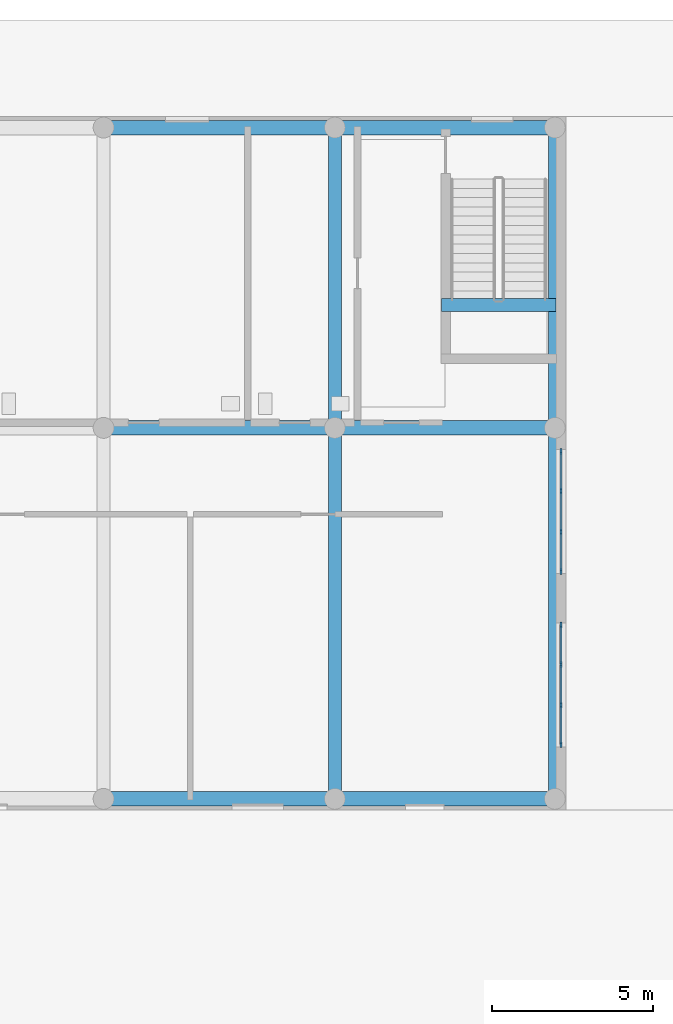
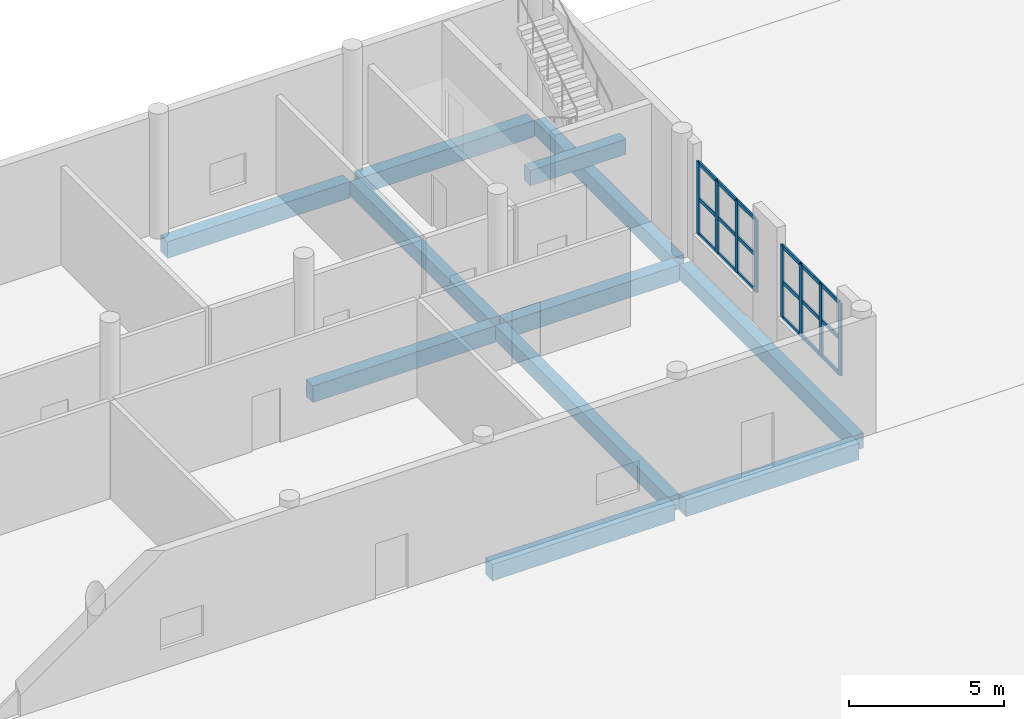
# One storey, part 22 of 85: 26 members, 11 beams, 2 elements without a shape of their own.
"""IFC4 building model written with IfcOpenShell, lengths in metres."""

from ifc_helpers import new_model, si_unit, derived_unit, direction, frame, origin, origin_2d, place, context, subcontext, project, spatial, rectangle, extrude, material, layer, layer_set, material_profile, profile_set, type_object, element, aggregate, save


model = new_model("IFC4")

# Units and contexts
model_context = context("Model", 3, precision=1e-05, world=origin(), true_north=direction((0.0, 1.0)))
body_context = subcontext(model_context, "Body", "Model", "MODEL_VIEW")
ifc_project = project(units=[si_unit("LENGTHUNIT", "METRE"), si_unit("AREAUNIT", "SQUARE_METRE"), si_unit("VOLUMEUNIT", "CUBIC_METRE"), si_unit("PLANEANGLEUNIT", "RADIAN"), si_unit("MASSUNIT", "GRAM", prefix="KILO"), derived_unit("THERMALTRANSMITTANCEUNIT", [(si_unit("MASSUNIT", "GRAM", prefix="KILO"), 1), (si_unit("TIMEUNIT", "SECOND"), -3), (si_unit("THERMODYNAMICTEMPERATUREUNIT", "KELVIN"), -1)])], contexts=[model_context])

# Site, building, storey
site_placement = place(None, origin())
site = spatial("IfcSite", under=ifc_project, at=site_placement, CompositionType="ELEMENT")
building_placement = place(site_placement, origin())
building = spatial("IfcBuilding", under=site, at=building_placement, Name="Ochrekiln Boulevard Commons", CompositionType="ELEMENT")
storey_placement = place(building_placement, origin())
storey = spatial("IfcBuildingStorey", under=building, at=storey_placement, Name="L00", CompositionType="ELEMENT", Elevation=0.0)

# Beams
ifc_material_1 = material(Name="Concrete C35/45", Category="concrete")
ifc_material_profile_1 = material_profile(ifc_material_1, rectangle(XDim=0.39990234375, YDim=0.60009765625, at=origin_2d()), Name="RC-BM-400x600")
ifc_profile_set_1 = profile_set([ifc_material_profile_1], Name="Concrete C35/45")
beam_type_1 = type_object("IfcBeamType", Name="BM-RC-400x600", PredefinedType="BEAM", material=ifc_profile_set_1)
beam_1_placement = place(storey_placement, frame((100.800048828125, 97.760009765625, -0.580078125), z_axis=(0.0, 1.0, 0.0), x_axis=(-1.0, 0.0, 0.0)))
element("IfcBeam", 1, at=beam_1_placement, inside=storey, type_object=beam_type_1, Name="Nursery Pavilion L00 Beam B-4060 Y29", PredefinedType="BEAM", context=body_context, shape_type="SweptSolid", body=[
    extrude(rectangle(XDim=0.39990234375, YDim=0.60009765625, at=origin_2d()), origin(), (0.0, 0.0, 1.0), 11.1298828125),
])
beam_2_placement = place(storey_placement, frame((100.800048828125, 109.31005859375, -0.580078125), z_axis=(0.0, 1.0, 0.0), x_axis=(-1.0, 0.0, 0.0)))
element("IfcBeam", 2, at=beam_2_placement, inside=storey, type_object=beam_type_1, Name="Nursery Pavilion L00 Beam B-4060 Y30", PredefinedType="BEAM", context=body_context, shape_type="SweptSolid", body=[
    extrude(rectangle(XDim=0.39990234375, YDim=0.60009765625, at=origin_2d()), origin(), (0.0, 0.0, 1.0), 8.929931640625),
])
beam_3_placement = place(storey_placement, frame((107.64990234375, 97.760009765625, -0.580078125), z_axis=(0.0, 1.0, 0.0), x_axis=(-1.0, 0.0, 0.0)))
element("IfcBeam", 3, at=beam_3_placement, inside=storey, type_object=beam_type_1, Name="Nursery Pavilion L00 Beam B-4060 Y31", PredefinedType="BEAM", context=body_context, shape_type="SweptSolid", body=[
    extrude(rectangle(XDim=0.39990234375, YDim=0.60009765625, at=origin_2d()), origin(), (0.0, 0.0, 1.0), 11.1298828125),
])
beam_4_placement = place(storey_placement, frame((107.64990234375, 109.31005859375, -0.580078125), z_axis=(0.0, 1.0, 0.0), x_axis=(-1.0, 0.0, 0.0)))
element("IfcBeam", 4, at=beam_4_placement, inside=storey, type_object=beam_type_1, Name="Nursery Pavilion L00 Beam B-4060 Y32", PredefinedType="BEAM", context=body_context, shape_type="SweptSolid", body=[
    extrude(rectangle(XDim=0.39990234375, YDim=0.60009765625, at=origin_2d()), origin(), (0.0, 0.0, 1.0), 8.929931640625),
])
beam_5_placement = place(storey_placement, frame((104.1201171875, 112.929931640625, 1.93994140625), z_axis=(1.0, 0.0, 0.0), x_axis=(0.0, 1.0, 0.0)))
element("IfcBeam", 5, at=beam_5_placement, inside=storey, type_object=beam_type_1, Name="Stair ST-N2 L00 Half-Landing Support Beam B-4060", PredefinedType="BEAM", context=body_context, shape_type="SweptSolid", body=[
    extrude(rectangle(XDim=0.39990234375, YDim=0.60009765625, at=origin_2d()), origin(), (0.0, 0.0, 1.0), 3.559814453125),
])
ifc_material_profile_2 = material_profile(ifc_material_1, rectangle(XDim=0.449951171875, YDim=0.64990234375, at=origin_2d()), Name="RC-BM-450x650")
ifc_profile_set_2 = profile_set([ifc_material_profile_2], Name="Concrete C35/45")
beam_type_2 = type_object("IfcBeamType", Name="BM-RC-450x650", PredefinedType="BEAM", material=ifc_profile_set_2)
beam_6_placement = place(storey_placement, frame((93.81005859375, 97.550048828125, -0.60498046875), z_axis=(1.0, 0.0, 0.0), x_axis=(0.0, 1.0, 0.0)))
element("IfcBeam", 6, at=beam_6_placement, inside=storey, type_object=beam_type_2, Name="Nursery Pavilion L00 Beam B-4565 X5", PredefinedType="BEAM", context=body_context, shape_type="SweptSolid", body=[
    extrude(rectangle(XDim=0.449951171875, YDim=0.64990234375, at=origin_2d()), origin(), (0.0, 0.0, 1.0), 6.780029296875),
])
beam_7_placement = place(storey_placement, frame((101.010009765625, 97.550048828125, -0.60498046875), z_axis=(1.0, 0.0, 0.0), x_axis=(0.0, 1.0, 0.0)))
element("IfcBeam", 7, at=beam_7_placement, inside=storey, type_object=beam_type_2, Name="Nursery Pavilion L00 Beam B-4565 X6", PredefinedType="BEAM", context=body_context, shape_type="SweptSolid", body=[
    extrude(rectangle(XDim=0.449951171875, YDim=0.64990234375, at=origin_2d()), origin(), (0.0, 0.0, 1.0), 6.429931640625),
])
beam_8_placement = place(storey_placement, frame((93.81005859375, 109.10009765625, -0.60498046875), z_axis=(1.0, 0.0, 0.0), x_axis=(0.0, 1.0, 0.0)))
element("IfcBeam", 8, at=beam_8_placement, inside=storey, type_object=beam_type_2, Name="Nursery Pavilion L00 Beam B-4565 X11", PredefinedType="BEAM", context=body_context, shape_type="SweptSolid", body=[
    extrude(rectangle(XDim=0.449951171875, YDim=0.64990234375, at=origin_2d()), origin(), (0.0, 0.0, 1.0), 6.780029296875),
])
beam_9_placement = place(storey_placement, frame((101.010009765625, 109.10009765625, -0.60498046875), z_axis=(1.0, 0.0, 0.0), x_axis=(0.0, 1.0, 0.0)))
element("IfcBeam", 9, at=beam_9_placement, inside=storey, type_object=beam_type_2, Name="Nursery Pavilion L00 Beam B-4565 X12", PredefinedType="BEAM", context=body_context, shape_type="SweptSolid", body=[
    extrude(rectangle(XDim=0.449951171875, YDim=0.64990234375, at=origin_2d()), origin(), (0.0, 0.0, 1.0), 6.429931640625),
])
beam_10_placement = place(storey_placement, frame((93.81005859375, 118.449951171875, -0.60498046875), z_axis=(1.0, 0.0, 0.0), x_axis=(0.0, 1.0, 0.0)))
element("IfcBeam", 10, at=beam_10_placement, inside=storey, type_object=beam_type_2, Name="Nursery Pavilion L00 Beam B-4565 X17", PredefinedType="BEAM", context=body_context, shape_type="SweptSolid", body=[
    extrude(rectangle(XDim=0.449951171875, YDim=0.64990234375, at=origin_2d()), origin(), (0.0, 0.0, 1.0), 6.780029296875),
])
beam_11_placement = place(storey_placement, frame((101.010009765625, 118.449951171875, -0.60498046875), z_axis=(1.0, 0.0, 0.0), x_axis=(0.0, 1.0, 0.0)))
element("IfcBeam", 11, at=beam_11_placement, inside=storey, type_object=beam_type_2, Name="Nursery Pavilion L00 Beam B-4565 X18", PredefinedType="BEAM", context=body_context, shape_type="SweptSolid", body=[
    extrude(rectangle(XDim=0.449951171875, YDim=0.64990234375, at=origin_2d()), origin(), (0.0, 0.0, 1.0), 6.429931640625),
])

# Curtain wall, members
ifc_material_2 = material(Name="Bronze-anodized extruded aluminium 6063-T6", Category="aluminium")
ifc_layer = layer(ifc_material_2, 0.219970703125)
ifc_layer_set = layer_set([ifc_layer], Name="Bronze-anodized extruded aluminium 6063-T6")
curtain_wall_type = type_object("IfcCurtainWallType", Name="CW-NUR", PredefinedType="USERDEFINED", material=ifc_layer_set)
curtain_wall_1_placement = place(storey_placement, origin())
curtain_wall_1 = element("IfcCurtainWall", 12, at=curtain_wall_1_placement, inside=storey, type_object=curtain_wall_type, Name="Nursery L00 Garden End Curtain Wall E-1", ObjectType="GLAZED CURTAIN WALL", PredefinedType="USERDEFINED")
ifc_material_profile_3 = material_profile(ifc_material_2, rectangle(XDim=0.06494140625, YDim=0.179931640625, at=origin_2d()), Name="ALU-MUL-65x180")
ifc_profile_set_3 = profile_set([ifc_material_profile_3], Name="Bronze-anodized extruded aluminium 6063-T6")
member_type_1 = type_object("IfcMemberType", Name="CWM-65x180", PredefinedType="MULLION", material=ifc_profile_set_3)
member_1_placement = place(storey_placement, frame((107.840087890625, 99.232421875, 1.110107421875), z_axis=(0.0, 0.0, 1.0), x_axis=(-1.0, 0.0, 0.0)))
member_1 = element("IfcMember", 13, at=member_1_placement, type_object=member_type_1, Name="CW-05 mullion 1", PredefinedType="MULLION", context=body_context, shape_type="SweptSolid", body=[
    extrude(rectangle(XDim=0.06494140625, YDim=0.179931640625, at=origin_2d()), origin(), (0.0, 0.0, 1.0), 2.83984375),
])
member_2_placement = place(storey_placement, frame((107.840087890625, 100.466552734375, 1.110107421875), z_axis=(0.0, 0.0, 1.0), x_axis=(-1.0, 0.0, 0.0)))
member_2 = element("IfcMember", 14, at=member_2_placement, type_object=member_type_1, Name="CW-05 mullion 2", PredefinedType="MULLION", context=body_context, shape_type="SweptSolid", body=[
    extrude(rectangle(XDim=0.06494140625, YDim=0.179931640625, at=origin_2d()), origin(), (0.0, 0.0, 1.0), 2.83984375),
])
member_3_placement = place(storey_placement, frame((107.840087890625, 101.7333984375, 1.110107421875), z_axis=(0.0, 0.0, 1.0), x_axis=(-1.0, 0.0, 0.0)))
member_3 = element("IfcMember", 15, at=member_3_placement, type_object=member_type_1, Name="CW-05 mullion 3", PredefinedType="MULLION", context=body_context, shape_type="SweptSolid", body=[
    extrude(rectangle(XDim=0.06494140625, YDim=0.179931640625, at=origin_2d()), origin(), (0.0, 0.0, 1.0), 2.83984375),
])
member_4_placement = place(storey_placement, frame((107.840087890625, 102.967529296875, 1.110107421875), z_axis=(0.0, 0.0, 1.0), x_axis=(-1.0, 0.0, 0.0)))
member_4 = element("IfcMember", 16, at=member_4_placement, type_object=member_type_1, Name="CW-05 mullion 4", PredefinedType="MULLION", context=body_context, shape_type="SweptSolid", body=[
    extrude(rectangle(XDim=0.06494140625, YDim=0.179931640625, at=origin_2d()), origin(), (0.0, 0.0, 1.0), 2.83984375),
])

curtain_wall_2_placement = place(storey_placement, origin())
curtain_wall_2 = element("IfcCurtainWall", 17, at=curtain_wall_2_placement, inside=storey, type_object=curtain_wall_type, Name="Nursery L00 Garden End Curtain Wall E-2", ObjectType="GLAZED CURTAIN WALL", PredefinedType="USERDEFINED")
member_5_placement = place(storey_placement, frame((107.840087890625, 104.632568359375, 1.110107421875), z_axis=(0.0, 0.0, 1.0), x_axis=(-1.0, 0.0, 0.0)))
member_5 = element("IfcMember", 18, at=member_5_placement, type_object=member_type_1, Name="CW-05 mullion 1", PredefinedType="MULLION", context=body_context, shape_type="SweptSolid", body=[
    extrude(rectangle(XDim=0.06494140625, YDim=0.179931640625, at=origin_2d()), origin(), (0.0, 0.0, 1.0), 2.83984375),
])
member_6_placement = place(storey_placement, frame((107.840087890625, 105.86669921875, 1.110107421875), z_axis=(0.0, 0.0, 1.0), x_axis=(-1.0, 0.0, 0.0)))
member_6 = element("IfcMember", 19, at=member_6_placement, type_object=member_type_1, Name="CW-05 mullion 2", PredefinedType="MULLION", context=body_context, shape_type="SweptSolid", body=[
    extrude(rectangle(XDim=0.06494140625, YDim=0.179931640625, at=origin_2d()), origin(), (0.0, 0.0, 1.0), 2.83984375),
])
member_7_placement = place(storey_placement, frame((107.840087890625, 107.13330078125, 1.110107421875), z_axis=(0.0, 0.0, 1.0), x_axis=(-1.0, 0.0, 0.0)))
member_7 = element("IfcMember", 20, at=member_7_placement, type_object=member_type_1, Name="CW-05 mullion 3", PredefinedType="MULLION", context=body_context, shape_type="SweptSolid", body=[
    extrude(rectangle(XDim=0.06494140625, YDim=0.179931640625, at=origin_2d()), origin(), (0.0, 0.0, 1.0), 2.83984375),
])
member_8_placement = place(storey_placement, frame((107.840087890625, 108.367431640625, 1.110107421875), z_axis=(0.0, 0.0, 1.0), x_axis=(-1.0, 0.0, 0.0)))
member_8 = element("IfcMember", 21, at=member_8_placement, type_object=member_type_1, Name="CW-05 mullion 4", PredefinedType="MULLION", context=body_context, shape_type="SweptSolid", body=[
    extrude(rectangle(XDim=0.06494140625, YDim=0.179931640625, at=origin_2d()), origin(), (0.0, 0.0, 1.0), 2.83984375),
])

# Member
ifc_material_profile_4 = material_profile(ifc_material_2, rectangle(XDim=0.06494140625, YDim=0.139892578125, at=origin_2d()), Name="ALU-TRN-65x140")
ifc_profile_set_4 = profile_set([ifc_material_profile_4], Name="Bronze-anodized extruded aluminium 6063-T6")
member_type_2 = type_object("IfcMemberType", Name="CWT-65x140", PredefinedType="USERDEFINED", material=ifc_profile_set_4)
member_9_placement = place(storey_placement, frame((107.840087890625, 99.264892578125, 1.142578125), z_axis=(0.0, 1.0, 0.0), x_axis=(-1.0, 0.0, 0.0)))
member_9 = element("IfcMember", 22, at=member_9_placement, type_object=member_type_2, Name="CW-05 transom 1.1", ObjectType="TRANSOM", PredefinedType="USERDEFINED", context=body_context, shape_type="SweptSolid", body=[
    extrude(rectangle(XDim=0.06494140625, YDim=0.139892578125, at=origin_2d()), origin(), (0.0, 0.0, 1.0), 1.169189453125),
])

member_10_placement = place(storey_placement, frame((107.840087890625, 99.264892578125, 2.530029296875), z_axis=(0.0, 1.0, 0.0), x_axis=(-1.0, 0.0, 0.0)))
member_10 = element("IfcMember", 23, at=member_10_placement, type_object=member_type_2, Name="CW-05 transom 1.2", ObjectType="TRANSOM", PredefinedType="USERDEFINED", context=body_context, shape_type="SweptSolid", body=[
    extrude(rectangle(XDim=0.06494140625, YDim=0.139892578125, at=origin_2d()), origin(), (0.0, 0.0, 1.0), 1.169189453125),
])

member_11_placement = place(storey_placement, frame((107.840087890625, 99.264892578125, 3.91748046875), z_axis=(0.0, 1.0, 0.0), x_axis=(-1.0, 0.0, 0.0)))
member_11 = element("IfcMember", 24, at=member_11_placement, type_object=member_type_2, Name="CW-05 transom 1.3", ObjectType="TRANSOM", PredefinedType="USERDEFINED", context=body_context, shape_type="SweptSolid", body=[
    extrude(rectangle(XDim=0.06494140625, YDim=0.139892578125, at=origin_2d()), origin(), (0.0, 0.0, 1.0), 1.169189453125),
])

member_12_placement = place(storey_placement, frame((107.840087890625, 100.499267578125, 1.142578125), z_axis=(0.0, 1.0, 0.0), x_axis=(-1.0, 0.0, 0.0)))
member_12 = element("IfcMember", 25, at=member_12_placement, type_object=member_type_2, Name="CW-05 transom 2.1", ObjectType="TRANSOM", PredefinedType="USERDEFINED", context=body_context, shape_type="SweptSolid", body=[
    extrude(rectangle(XDim=0.06494140625, YDim=0.139892578125, at=origin_2d()), origin(), (0.0, 0.0, 1.0), 1.20166015625),
])

member_13_placement = place(storey_placement, frame((107.840087890625, 100.499267578125, 2.530029296875), z_axis=(0.0, 1.0, 0.0), x_axis=(-1.0, 0.0, 0.0)))
member_13 = element("IfcMember", 26, at=member_13_placement, type_object=member_type_2, Name="CW-05 transom 2.2", ObjectType="TRANSOM", PredefinedType="USERDEFINED", context=body_context, shape_type="SweptSolid", body=[
    extrude(rectangle(XDim=0.06494140625, YDim=0.139892578125, at=origin_2d()), origin(), (0.0, 0.0, 1.0), 1.20166015625),
])

member_14_placement = place(storey_placement, frame((107.840087890625, 100.499267578125, 3.91748046875), z_axis=(0.0, 1.0, 0.0), x_axis=(-1.0, 0.0, 0.0)))
member_14 = element("IfcMember", 27, at=member_14_placement, type_object=member_type_2, Name="CW-05 transom 2.3", ObjectType="TRANSOM", PredefinedType="USERDEFINED", context=body_context, shape_type="SweptSolid", body=[
    extrude(rectangle(XDim=0.06494140625, YDim=0.139892578125, at=origin_2d()), origin(), (0.0, 0.0, 1.0), 1.20166015625),
])

member_15_placement = place(storey_placement, frame((107.840087890625, 101.765869140625, 1.142578125), z_axis=(0.0, 1.0, 0.0), x_axis=(-1.0, 0.0, 0.0)))
member_15 = element("IfcMember", 28, at=member_15_placement, type_object=member_type_2, Name="CW-05 transom 3.1", ObjectType="TRANSOM", PredefinedType="USERDEFINED", context=body_context, shape_type="SweptSolid", body=[
    extrude(rectangle(XDim=0.06494140625, YDim=0.139892578125, at=origin_2d()), origin(), (0.0, 0.0, 1.0), 1.169189453125),
])

member_16_placement = place(storey_placement, frame((107.840087890625, 101.765869140625, 2.530029296875), z_axis=(0.0, 1.0, 0.0), x_axis=(-1.0, 0.0, 0.0)))
member_16 = element("IfcMember", 29, at=member_16_placement, type_object=member_type_2, Name="CW-05 transom 3.2", ObjectType="TRANSOM", PredefinedType="USERDEFINED", context=body_context, shape_type="SweptSolid", body=[
    extrude(rectangle(XDim=0.06494140625, YDim=0.139892578125, at=origin_2d()), origin(), (0.0, 0.0, 1.0), 1.169189453125),
])

member_17_placement = place(storey_placement, frame((107.840087890625, 101.765869140625, 3.91748046875), z_axis=(0.0, 1.0, 0.0), x_axis=(-1.0, 0.0, 0.0)))
member_17 = element("IfcMember", 30, at=member_17_placement, type_object=member_type_2, Name="CW-05 transom 3.3", ObjectType="TRANSOM", PredefinedType="USERDEFINED", context=body_context, shape_type="SweptSolid", body=[
    extrude(rectangle(XDim=0.06494140625, YDim=0.139892578125, at=origin_2d()), origin(), (0.0, 0.0, 1.0), 1.169189453125),
])

aggregate(curtain_wall_1, [member_1, member_2, member_3, member_4, member_9, member_10, member_11, member_12, member_13, member_14, member_15, member_16, member_17])

member_18_placement = place(storey_placement, frame((107.840087890625, 104.6650390625, 1.142578125), z_axis=(0.0, 1.0, 0.0), x_axis=(-1.0, 0.0, 0.0)))
member_18 = element("IfcMember", 31, at=member_18_placement, type_object=member_type_2, Name="CW-05 transom 1.1", ObjectType="TRANSOM", PredefinedType="USERDEFINED", context=body_context, shape_type="SweptSolid", body=[
    extrude(rectangle(XDim=0.06494140625, YDim=0.139892578125, at=origin_2d()), origin(), (0.0, 0.0, 1.0), 1.169189453125),
])

member_19_placement = place(storey_placement, frame((107.840087890625, 104.6650390625, 2.530029296875), z_axis=(0.0, 1.0, 0.0), x_axis=(-1.0, 0.0, 0.0)))
member_19 = element("IfcMember", 32, at=member_19_placement, type_object=member_type_2, Name="CW-05 transom 1.2", ObjectType="TRANSOM", PredefinedType="USERDEFINED", context=body_context, shape_type="SweptSolid", body=[
    extrude(rectangle(XDim=0.06494140625, YDim=0.139892578125, at=origin_2d()), origin(), (0.0, 0.0, 1.0), 1.169189453125),
])

member_20_placement = place(storey_placement, frame((107.840087890625, 104.6650390625, 3.91748046875), z_axis=(0.0, 1.0, 0.0), x_axis=(-1.0, 0.0, 0.0)))
member_20 = element("IfcMember", 33, at=member_20_placement, type_object=member_type_2, Name="CW-05 transom 1.3", ObjectType="TRANSOM", PredefinedType="USERDEFINED", context=body_context, shape_type="SweptSolid", body=[
    extrude(rectangle(XDim=0.06494140625, YDim=0.139892578125, at=origin_2d()), origin(), (0.0, 0.0, 1.0), 1.169189453125),
])

member_21_placement = place(storey_placement, frame((107.840087890625, 105.899169921875, 1.142578125), z_axis=(0.0, 1.0, 0.0), x_axis=(-1.0, 0.0, 0.0)))
member_21 = element("IfcMember", 34, at=member_21_placement, type_object=member_type_2, Name="CW-05 transom 2.1", ObjectType="TRANSOM", PredefinedType="USERDEFINED", context=body_context, shape_type="SweptSolid", body=[
    extrude(rectangle(XDim=0.06494140625, YDim=0.139892578125, at=origin_2d()), origin(), (0.0, 0.0, 1.0), 1.20166015625),
])

member_22_placement = place(storey_placement, frame((107.840087890625, 105.899169921875, 2.530029296875), z_axis=(0.0, 1.0, 0.0), x_axis=(-1.0, 0.0, 0.0)))
member_22 = element("IfcMember", 35, at=member_22_placement, type_object=member_type_2, Name="CW-05 transom 2.2", ObjectType="TRANSOM", PredefinedType="USERDEFINED", context=body_context, shape_type="SweptSolid", body=[
    extrude(rectangle(XDim=0.06494140625, YDim=0.139892578125, at=origin_2d()), origin(), (0.0, 0.0, 1.0), 1.20166015625),
])

member_23_placement = place(storey_placement, frame((107.840087890625, 105.899169921875, 3.91748046875), z_axis=(0.0, 1.0, 0.0), x_axis=(-1.0, 0.0, 0.0)))
member_23 = element("IfcMember", 36, at=member_23_placement, type_object=member_type_2, Name="CW-05 transom 2.3", ObjectType="TRANSOM", PredefinedType="USERDEFINED", context=body_context, shape_type="SweptSolid", body=[
    extrude(rectangle(XDim=0.06494140625, YDim=0.139892578125, at=origin_2d()), origin(), (0.0, 0.0, 1.0), 1.20166015625),
])

member_24_placement = place(storey_placement, frame((107.840087890625, 107.165771484375, 1.142578125), z_axis=(0.0, 1.0, 0.0), x_axis=(-1.0, 0.0, 0.0)))
member_24 = element("IfcMember", 37, at=member_24_placement, type_object=member_type_2, Name="CW-05 transom 3.1", ObjectType="TRANSOM", PredefinedType="USERDEFINED", context=body_context, shape_type="SweptSolid", body=[
    extrude(rectangle(XDim=0.06494140625, YDim=0.139892578125, at=origin_2d()), origin(), (0.0, 0.0, 1.0), 1.169189453125),
])

member_25_placement = place(storey_placement, frame((107.840087890625, 107.165771484375, 2.530029296875), z_axis=(0.0, 1.0, 0.0), x_axis=(-1.0, 0.0, 0.0)))
member_25 = element("IfcMember", 38, at=member_25_placement, type_object=member_type_2, Name="CW-05 transom 3.2", ObjectType="TRANSOM", PredefinedType="USERDEFINED", context=body_context, shape_type="SweptSolid", body=[
    extrude(rectangle(XDim=0.06494140625, YDim=0.139892578125, at=origin_2d()), origin(), (0.0, 0.0, 1.0), 1.169189453125),
])

member_26_placement = place(storey_placement, frame((107.840087890625, 107.165771484375, 3.91748046875), z_axis=(0.0, 1.0, 0.0), x_axis=(-1.0, 0.0, 0.0)))
member_26 = element("IfcMember", 39, at=member_26_placement, type_object=member_type_2, Name="CW-05 transom 3.3", ObjectType="TRANSOM", PredefinedType="USERDEFINED", context=body_context, shape_type="SweptSolid", body=[
    extrude(rectangle(XDim=0.06494140625, YDim=0.139892578125, at=origin_2d()), origin(), (0.0, 0.0, 1.0), 1.169189453125),
])

aggregate(curtain_wall_2, [member_5, member_6, member_7, member_8, member_18, member_19, member_20, member_21, member_22, member_23, member_24, member_25, member_26])

save(model, "model.ifc")
